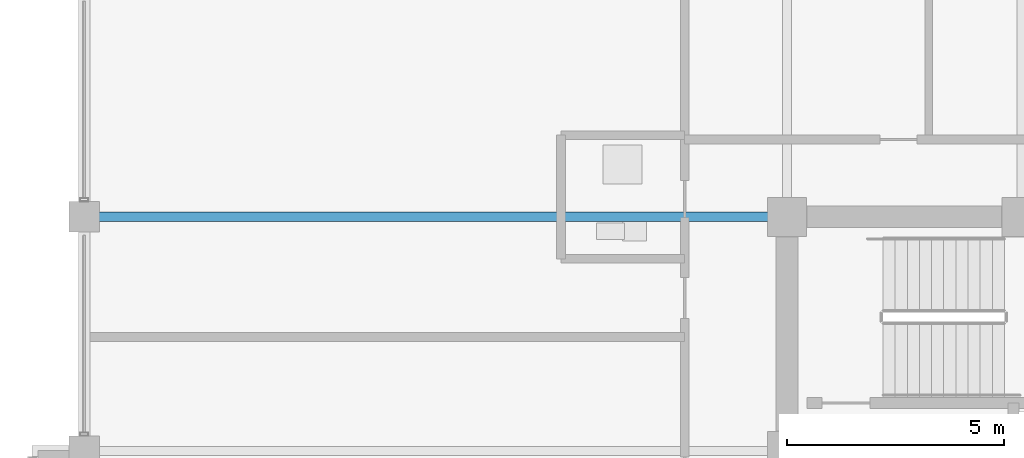
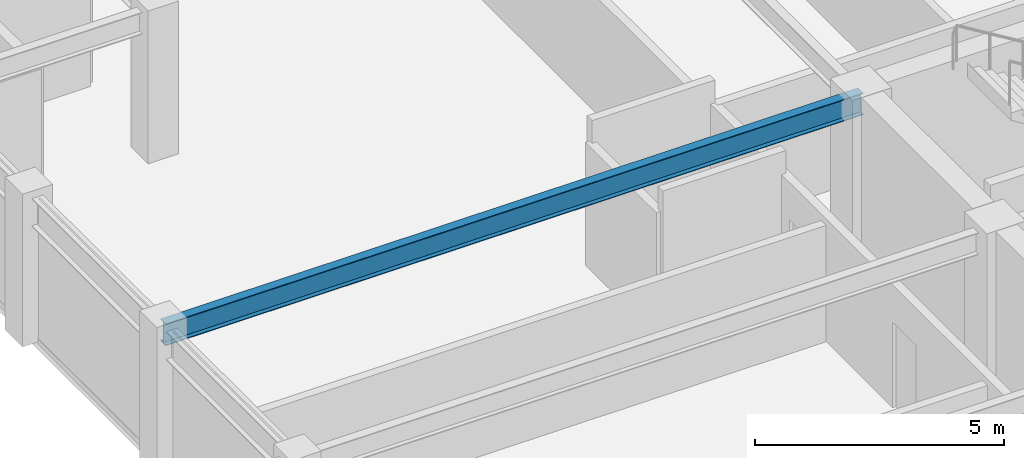
# One storey, part 16 of 32: 1 beam.
"""IFC4 building model written with IfcOpenShell, lengths in metres."""

from ifc_helpers import new_model, si_unit, direction, frame, origin, origin_2d, place, context, subcontext, project, spatial, i_section, extrude, material, material_profile, profile_set, type_object, element, save


model = new_model("IFC4")

# Units and contexts
model_context = context("Model", 3, precision=1e-05, world=origin(), true_north=direction((0.0, 1.0)))
body_context = subcontext(model_context, "Body", "Model", "MODEL_VIEW")
ifc_project = project(units=[si_unit("LENGTHUNIT", "METRE"), si_unit("AREAUNIT", "SQUARE_METRE"), si_unit("VOLUMEUNIT", "CUBIC_METRE"), si_unit("PLANEANGLEUNIT", "RADIAN"), si_unit("MASSUNIT", "GRAM", prefix="KILO")], contexts=[model_context])

# Site, building, storey
site_placement = place(None, origin())
site = spatial("IfcSite", under=ifc_project, at=site_placement, CompositionType="ELEMENT")
building_placement = place(site_placement, origin())
building = spatial("IfcBuilding", under=site, at=building_placement, Name="Surkhivell Harbour Commons", CompositionType="ELEMENT")
storey_placement = place(building_placement, frame((0.0, 0.0, 311.25)))
storey = spatial("IfcBuildingStorey", under=building, at=storey_placement, Name="L81", CompositionType="ELEMENT", Elevation=311.25)

# Beam
ifc_material = material(Name="Steel S355", Category="steel")
ifc_material_profile = material_profile(ifc_material, i_section(OverallWidth=0.2099609375, OverallDepth=0.537109375, WebThickness=0.0107421875, FlangeThickness=0.017333984375, at=origin_2d()), Name="UB533x210x101")
ifc_profile_set = profile_set([ifc_material_profile], Name="Steel S355")
beam_type = type_object("IfcBeamType", Name="BM-GRD-533B", PredefinedType="BEAM", material=ifc_profile_set)
beam_placement = place(storey_placement, frame((-27.0, 10.800048828125, 3.301513671875), z_axis=(1.0, 0.0, 0.0), x_axis=(0.0, 1.0, 0.0)))
element("IfcBeam", 1, at=beam_placement, inside=storey, type_object=beam_type, Name="L81 Floor Girder (-27.0,10.8)", PredefinedType="BEAM", context=body_context, shape_type="SweptSolid", body=[
    extrude(i_section(OverallWidth=0.2099609375, OverallDepth=0.537109375, WebThickness=0.0107421875, FlangeThickness=0.017333984375, at=origin_2d()), origin(), (0.0, 0.0, 1.0), 16.199951171875),
])

save(model, "model.ifc")
